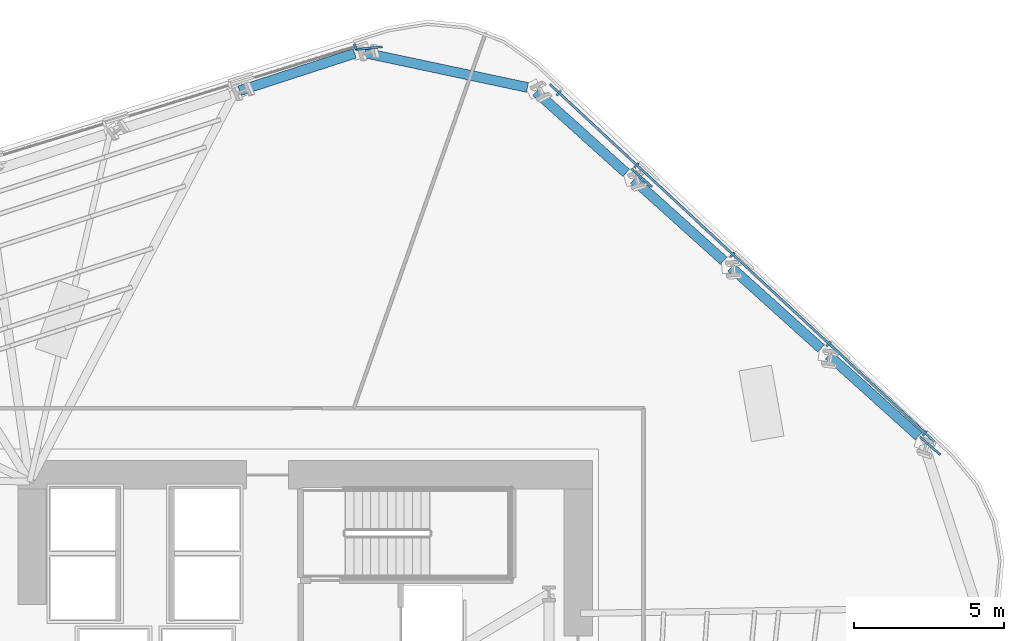
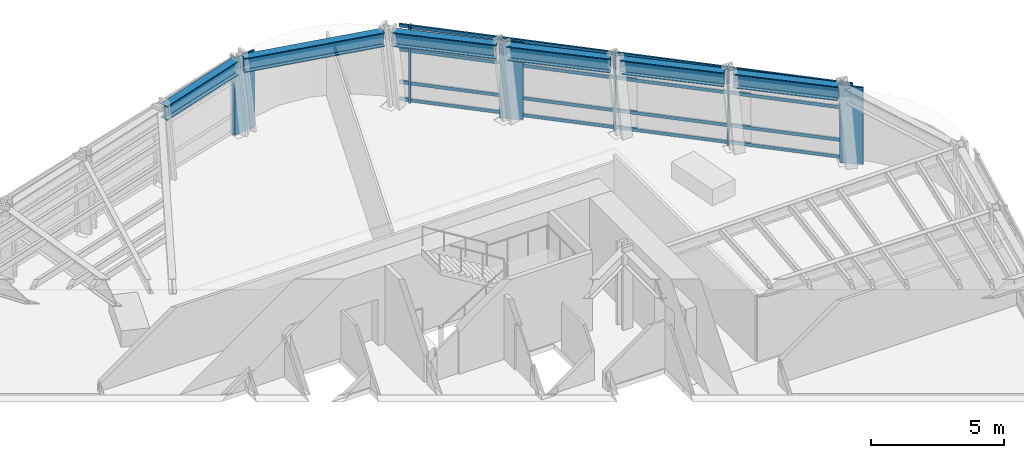
# One storey, part 7 of 16: 13 members, 6 beams, 2 elements without a shape of their own.
"""IFC4 building model written with IfcOpenShell, lengths in metres."""

from ifc_helpers import new_model, si_unit, direction, frame, origin, origin_2d, place, context, subcontext, project, spatial, rectangle, i_section, extrude, material, layer, layer_set, material_profile, profile_set, type_object, element, aggregate, save


model = new_model("IFC4")

# Units and contexts
model_context = context("Model", 3, precision=1e-05, world=origin(), true_north=direction((0.0, 1.0)))
body_context = subcontext(model_context, "Body", "Model", "MODEL_VIEW")
ifc_project = project(units=[si_unit("LENGTHUNIT", "METRE"), si_unit("AREAUNIT", "SQUARE_METRE"), si_unit("VOLUMEUNIT", "CUBIC_METRE"), si_unit("PLANEANGLEUNIT", "RADIAN"), si_unit("MASSUNIT", "GRAM", prefix="KILO")], contexts=[model_context])

# Site, building, storey
site_placement = place(None, origin())
site = spatial("IfcSite", under=ifc_project, at=site_placement, CompositionType="ELEMENT")
building_placement = place(site_placement, origin())
building = spatial("IfcBuilding", under=site, at=building_placement, Name="Valkerne Bourse Tower", CompositionType="ELEMENT")
storey_placement = place(building_placement, frame((0.0, 0.0, 97.199951171875)))
storey = spatial("IfcBuildingStorey", under=building, at=storey_placement, Name="L24", CompositionType="ELEMENT", Elevation=97.199951171875)

# Beams
ifc_material_1 = material(Name="Steel ASTM A992", Category="steel")
ifc_material_profile_1 = material_profile(ifc_material_1, i_section(OverallWidth=0.330078125, OverallDepth=0.647705078125, WebThickness=0.0205078125, FlangeThickness=0.037109375, FilletRadius=0.020263671875, at=origin_2d()), Name="W24X192")
ifc_profile_set_1 = profile_set([ifc_material_profile_1], Name="Steel ASTM A992")
beam_type = type_object("IfcBeamType", Name="BM-W24X192", PredefinedType="SPANDREL", material=ifc_profile_set_1)
for number, where, z_axis, x_axis, name in (
    (1, (67.298583984375, 36.91943359375, 3.25634765625), (-0.743183037228, 0.669088165474, 0.0), (-0.669088165474, -0.743183037228, 0.0), "L24 Hexagonal Spandrel Ring Beam 00"),
    (2, (64.041259765625, 39.852294921875, 3.25634765625), (-0.743183037228, 0.669088165474, 0.0), (-0.669088165474, -0.743183037228, 0.0), "L24 Hexagonal Spandrel Ring Beam 01"),
):
    element("IfcBeam", number, at=place(storey_placement, frame(where, z_axis=z_axis, x_axis=x_axis)), inside=storey, type_object=beam_type, Name=name, PredefinedType="SPANDREL", context=body_context, shape_type="SweptSolid", body=[
        extrude(i_section(OverallWidth=0.330078125, OverallDepth=0.647705078125, WebThickness=0.0205078125, FlangeThickness=0.037109375, FilletRadius=0.020263671875, at=origin_2d()), origin(), (0.0, 0.0, 1.0), 4.04296875),
    ])
for number, where, z_axis, x_axis, name in (
    (3, (60.7841796875, 42.784912109375, 3.25634765625), (-0.743153009947, 0.669121516472, 0.0), (-0.669121516472, -0.743153009947, 0.0), "L24 Hexagonal Spandrel Ring Beam 02"),
    (4, (57.52685546875, 45.7177734375, 3.25634765625), (-0.743153009947, 0.669121516472, 0.0), (-0.669121516472, -0.743153009947, 0.0), "L24 Hexagonal Spandrel Ring Beam 03"),
):
    element("IfcBeam", number, at=place(storey_placement, frame(where, z_axis=z_axis, x_axis=x_axis)), inside=storey, type_object=beam_type, Name=name, PredefinedType="SPANDREL", context=body_context, shape_type="SweptSolid", body=[
        extrude(i_section(OverallWidth=0.330078125, OverallDepth=0.647705078125, WebThickness=0.0205078125, FlangeThickness=0.037109375, FilletRadius=0.020263671875, at=origin_2d()), origin(), (0.0, 0.0, 1.0), 4.043212890625),
    ])
beam_1_placement = place(storey_placement, frame((54.229736328125, 48.572021484375, 3.25634765625), z_axis=(-0.978136320917, 0.207964751106, 0.0), x_axis=(-0.207964751106, -0.978136320917, 0.0)))
element("IfcBeam", 5, at=beam_1_placement, inside=storey, type_object=beam_type, Name="L24 Hexagonal Spandrel Ring Beam 04", PredefinedType="SPANDREL", context=body_context, shape_type="SweptSolid", body=[
    extrude(i_section(OverallWidth=0.330078125, OverallDepth=0.647705078125, WebThickness=0.0205078125, FlangeThickness=0.037109375, FilletRadius=0.020263671875, at=origin_2d()), origin(), (0.0, 0.0, 1.0), 5.564453125),
])
beam_2_placement = place(storey_placement, frame((48.458740234375, 49.7119140625, 3.25634765625), z_axis=(-0.951041612609, -0.309062859441, 0.0), x_axis=(0.309062859441, -0.951041612609, 0.0)))
element("IfcBeam", 6, at=beam_2_placement, inside=storey, type_object=beam_type, Name="L24 Hexagonal Spandrel Ring Beam 05", PredefinedType="SPANDREL", context=body_context, shape_type="SweptSolid", body=[
    extrude(i_section(OverallWidth=0.330078125, OverallDepth=0.647705078125, WebThickness=0.0205078125, FlangeThickness=0.037109375, FilletRadius=0.020263671875, at=origin_2d()), origin(), (0.0, 0.0, 1.0), 4.04296875),
])

# Curtain wall, members
ifc_material_2 = material(Name="Aluminium AA 6063-T6", Category="aluminium")
ifc_layer = layer(ifc_material_2, 0.22998046875)
ifc_layer_set = layer_set([ifc_layer], Name="Aluminium AA 6063-T6")
curtain_wall_type = type_object("IfcCurtainWallType", Name="CW-02", PredefinedType="NOTDEFINED", material=ifc_layer_set)
curtain_wall_1_placement = place(storey_placement, origin())
curtain_wall_1 = element("IfcCurtainWall", 7, at=curtain_wall_1_placement, inside=storey, type_object=curtain_wall_type, Name="L24 Hexagonal Stick Curtain Wall Face 1", PredefinedType="NOTDEFINED")
ifc_material_profile_2 = material_profile(ifc_material_2, rectangle(XDim=0.074951171875, YDim=0.199951171875, at=origin_2d()), Name="CWM-75X200")
ifc_profile_set_2 = profile_set([ifc_material_profile_2], Name="Aluminium AA 6063-T6")
member_type_1 = type_object("IfcMemberType", Name="CW-MUL-220X75", PredefinedType="MULLION", material=ifc_profile_set_2)
member_1_placement = place(storey_placement, frame((67.5, 37.015380859375, 0.0), z_axis=(0.0, 0.0, 1.0), x_axis=(-0.732539093848, 0.680724963538, 0.0)))
member_1 = element("IfcMember", 8, at=member_1_placement, type_object=member_type_1, Name="CW-L24-F1 Jamb Mullion 00A", PredefinedType="MULLION", context=body_context, shape_type="SweptSolid", body=[
    extrude(rectangle(XDim=0.074951171875, YDim=0.199951171875, at=origin_2d()), origin(), (0.0, 0.0, 1.0), 3.580078125),
])
member_2_placement = place(storey_placement, frame((64.289306640625, 39.9990234375, 0.0), z_axis=(0.0, 0.0, 1.0), x_axis=(-0.732539093848, 0.680724963538, 0.0)))
member_2 = element("IfcMember", 9, at=member_2_placement, type_object=member_type_1, Name="CW-L24-F1 Jamb Mullion 01A", PredefinedType="MULLION", context=body_context, shape_type="SweptSolid", body=[
    extrude(rectangle(XDim=0.074951171875, YDim=0.199951171875, at=origin_2d()), origin(), (0.0, 0.0, 1.0), 3.580078125),
])
member_3_placement = place(storey_placement, frame((61.07861328125, 42.982666015625, 0.0), z_axis=(0.0, 0.0, 1.0), x_axis=(-0.732549666007, 0.680713586491, 0.0)))
member_3 = element("IfcMember", 10, at=member_3_placement, type_object=member_type_1, Name="CW-L24-F1 Jamb Mullion 02A", PredefinedType="MULLION", context=body_context, shape_type="SweptSolid", body=[
    extrude(rectangle(XDim=0.074951171875, YDim=0.199951171875, at=origin_2d()), origin(), (0.0, 0.0, 1.0), 3.580078125),
])
member_4_placement = place(storey_placement, frame((57.867919921875, 45.96630859375, 0.0), z_axis=(0.0, 0.0, 1.0), x_axis=(-0.732539093848, 0.680724963538, 0.0)))
member_4 = element("IfcMember", 11, at=member_4_placement, type_object=member_type_1, Name="CW-L24-F1 Jamb Mullion 03A", PredefinedType="MULLION", context=body_context, shape_type="SweptSolid", body=[
    extrude(rectangle(XDim=0.074951171875, YDim=0.199951171875, at=origin_2d()), origin(), (0.0, 0.0, 1.0), 3.580078125),
])
member_5_placement = place(storey_placement, frame((55.2724609375, 48.378173828125, 0.0), z_axis=(0.0, 0.0, 1.0), x_axis=(-0.732539093848, 0.680724963538, 0.0)))
member_5 = element("IfcMember", 12, at=member_5_placement, type_object=member_type_1, Name="CW-L24-F1 Jamb Mullion 03B", PredefinedType="MULLION", context=body_context, shape_type="SweptSolid", body=[
    extrude(rectangle(XDim=0.074951171875, YDim=0.199951171875, at=origin_2d()), origin(), (0.0, 0.0, 1.0), 3.580078125),
])

# Curtain wall, member
curtain_wall_2_placement = place(storey_placement, origin())
curtain_wall_2 = element("IfcCurtainWall", 13, at=curtain_wall_2_placement, inside=storey, type_object=curtain_wall_type, Name="L24 Hexagonal Stick Curtain Wall Face 2", PredefinedType="NOTDEFINED")
member_6_placement = place(storey_placement, frame((48.476318359375, 49.9345703125, 0.0), z_axis=(0.0, 0.0, 1.0), x_axis=(-0.955790847392, -0.294047370405, 0.0)))
member_6 = element("IfcMember", 14, at=member_6_placement, type_object=member_type_1, Name="CW-L24-F2 Jamb Mullion 00A", PredefinedType="MULLION", context=body_context, shape_type="SweptSolid", body=[
    extrude(rectangle(XDim=0.074951171875, YDim=0.199951171875, at=origin_2d()), origin(), (0.0, 0.0, 1.0), 3.580078125),
])
aggregate(curtain_wall_2, [member_6])

# Member
ifc_material_profile_3 = material_profile(ifc_material_2, rectangle(XDim=0.074951171875, YDim=0.14990234375, at=origin_2d()), Name="CWT-75X150")
ifc_profile_set_3 = profile_set([ifc_material_profile_3], Name="Aluminium AA 6063-T6")
member_type_2 = type_object("IfcMemberType", Name="CW-TRN-180X65", PredefinedType="USERDEFINED", material=ifc_profile_set_3)
member_7_placement = place(storey_placement, frame((67.8212890625, 36.744140625, 0.1201171875), z_axis=(-0.732533547606, 0.68073093189, 0.0), x_axis=(-0.68073093189, -0.732533547606, 0.0)))
member_7 = element("IfcMember", 15, at=member_7_placement, type_object=member_type_2, Name="CW-L24-F1 Continuous Face Transom 1", ObjectType="TRANSOM", PredefinedType="USERDEFINED", context=body_context, shape_type="SweptSolid", body=[
    extrude(rectangle(XDim=0.074951171875, YDim=0.14990234375, at=origin_2d()), origin(), (0.0, 0.0, 1.0), 17.531982421875),
])

member_8_placement = place(storey_placement, frame((67.8212890625, 36.744140625, 0.900146484375), z_axis=(-0.732533547606, 0.68073093189, 0.0), x_axis=(-0.68073093189, -0.732533547606, 0.0)))
member_8 = element("IfcMember", 16, at=member_8_placement, type_object=member_type_2, Name="CW-L24-F1 Continuous Face Transom 2", ObjectType="TRANSOM", PredefinedType="USERDEFINED", context=body_context, shape_type="SweptSolid", body=[
    extrude(rectangle(XDim=0.074951171875, YDim=0.14990234375, at=origin_2d()), origin(), (0.0, 0.0, 1.0), 17.531982421875),
])

member_9_placement = place(storey_placement, frame((67.8212890625, 36.744140625, 2.400146484375), z_axis=(-0.732533547606, 0.68073093189, 0.0), x_axis=(-0.68073093189, -0.732533547606, 0.0)))
member_9 = element("IfcMember", 17, at=member_9_placement, type_object=member_type_2, Name="CW-L24-F1 Continuous Face Transom 3", ObjectType="TRANSOM", PredefinedType="USERDEFINED", context=body_context, shape_type="SweptSolid", body=[
    extrude(rectangle(XDim=0.074951171875, YDim=0.14990234375, at=origin_2d()), origin(), (0.0, 0.0, 1.0), 17.531982421875),
])

member_10_placement = place(storey_placement, frame((67.8212890625, 36.744140625, 3.5), z_axis=(-0.732533547606, 0.68073093189, 0.0), x_axis=(-0.68073093189, -0.732533547606, 0.0)))
member_10 = element("IfcMember", 18, at=member_10_placement, type_object=member_type_2, Name="CW-L24-F1 Continuous Face Transom 4", ObjectType="TRANSOM", PredefinedType="USERDEFINED", context=body_context, shape_type="SweptSolid", body=[
    extrude(rectangle(XDim=0.074951171875, YDim=0.14990234375, at=origin_2d()), origin(), (0.0, 0.0, 1.0), 17.531982421875),
])

aggregate(curtain_wall_1, [member_7, member_8, member_9, member_10, member_1, member_2, member_3, member_4, member_5])

# Members
ifc_material_3 = material(Name="Bronze Anodised Aluminium AA 6063-T6", Category="aluminium")
ifc_material_profile_4 = material_profile(ifc_material_3, rectangle(XDim=0.070068359375, YDim=0.89990234375, at=origin_2d()), Name="FIN-70X900")
ifc_profile_set_4 = profile_set([ifc_material_profile_4], Name="Bronze Anodised Aluminium AA 6063-T6")
member_type_3 = type_object("IfcMemberType", Name="FIN-SOLAR-900", PredefinedType="USERDEFINED", material=ifc_profile_set_4)
for number, where, z_axis, x_axis, name in (
    (19, (67.685302734375, 36.59765625, 0.004150390625), (0.0, 0.0, 1.0), (0.658930096464, 0.75220417971, 0.0), "L24 Bronze Anodised Solar Fin F1-00"),
    (20, (58.052978515625, 45.548583984375, 0.004150390625), (0.0, 0.0, 1.0), (0.658930096464, 0.75220417971, 0.0), "L24 Bronze Anodised Solar Fin F1-03"),
    (21, (48.930908203125, 49.885986328125, 0.004150390625), (0.0, 0.0, 1.0), (-0.102875437059, 0.994694246716, 0.0), "L24 Bronze Anodised Solar Fin F2-00"),
):
    element("IfcMember", number, at=place(storey_placement, frame(where, z_axis=z_axis, x_axis=x_axis)), inside=storey, type_object=member_type_3, Name=name, ObjectType="SOLAR_FIN", PredefinedType="USERDEFINED", context=body_context, shape_type="SweptSolid", body=[
        extrude(rectangle(XDim=0.070068359375, YDim=0.89990234375, at=origin_2d()), origin(), (0.0, 0.0, 1.0), 3.57177734375),
    ])

save(model, "model.ifc")
